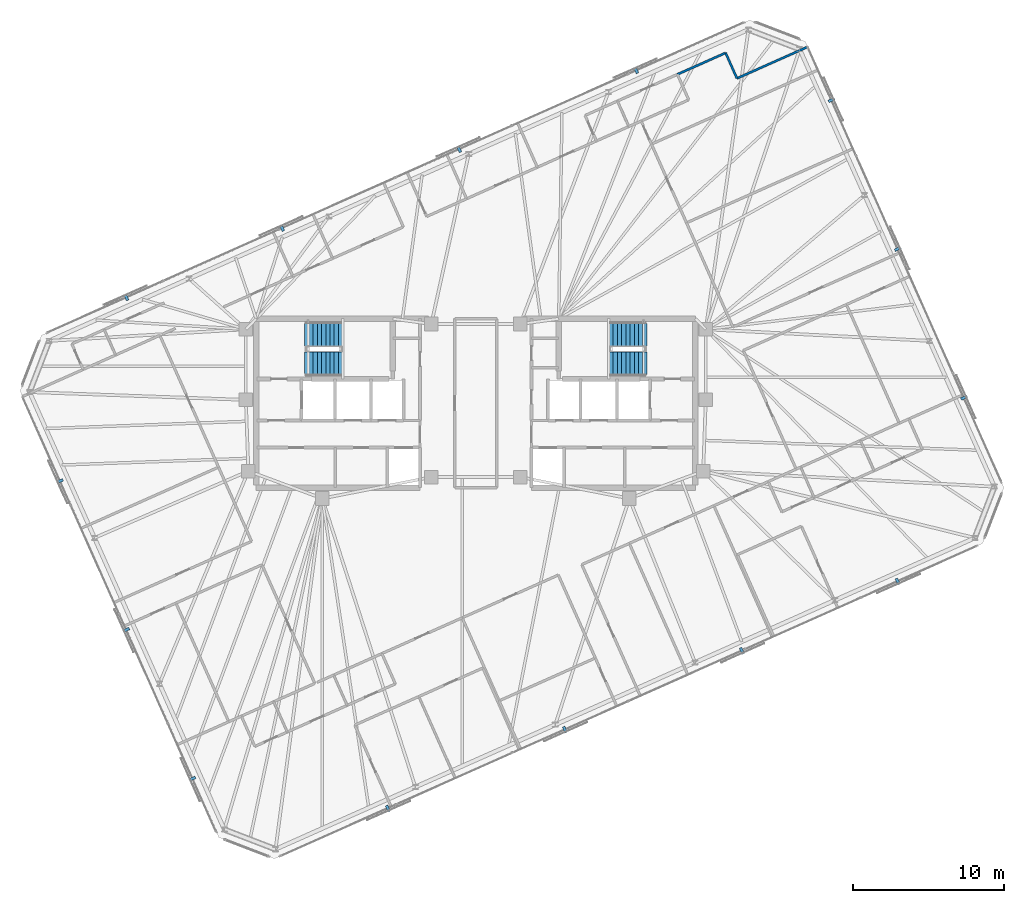
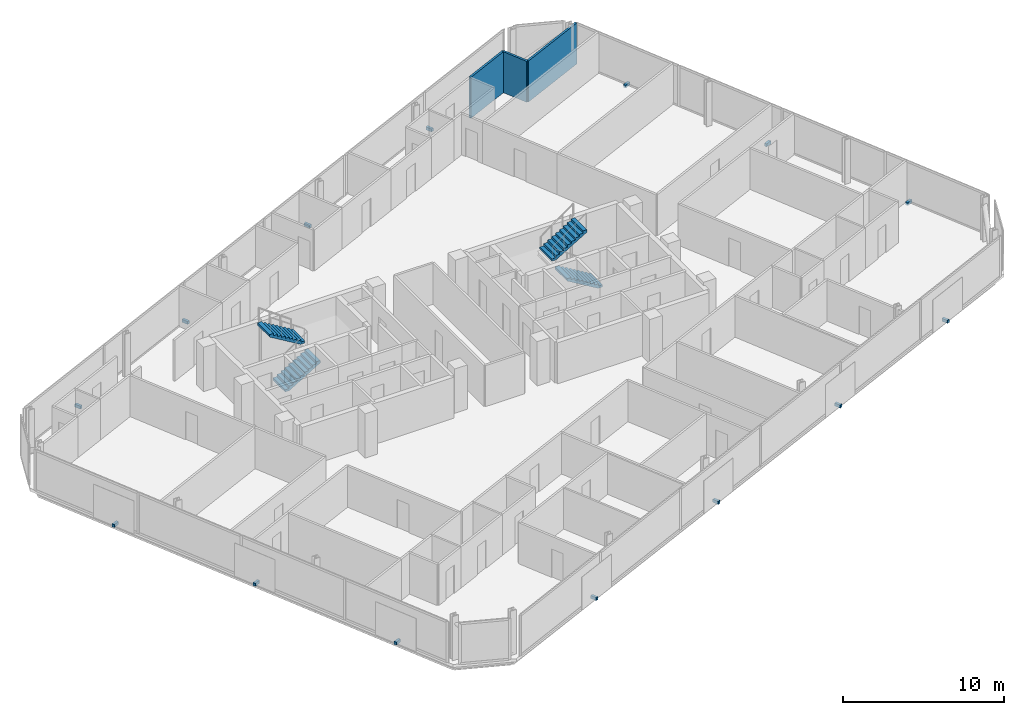
# One storey, part 17 of 18: 14 discrete accessories, 4 stair flights, 3 walls, 2 elements without a shape of their own.
"""IFC4 building model written with IfcOpenShell, lengths in metres."""

from ifc_helpers import new_model, si_unit, direction, frame, frame_2d, origin, origin_2d, place, context, subcontext, project, spatial, polyline, rectangle, outline, extrude, material, layer, layer_set, type_object, element, aggregate, save


model = new_model("IFC4")

# Units and contexts
model_context = context("Model", 3, precision=1e-05, world=origin(), true_north=direction((0.0, 1.0)))
body_context = subcontext(model_context, "Body", "Model", "MODEL_VIEW")
ifc_project = project(units=[si_unit("LENGTHUNIT", "METRE"), si_unit("AREAUNIT", "SQUARE_METRE"), si_unit("VOLUMEUNIT", "CUBIC_METRE"), si_unit("PLANEANGLEUNIT", "RADIAN"), si_unit("MASSUNIT", "GRAM", prefix="KILO")], contexts=[model_context])

# Site, building, storey
site_placement = place(None, origin())
site = spatial("IfcSite", under=ifc_project, at=site_placement, CompositionType="ELEMENT")
building_placement = place(site_placement, origin())
building = spatial("IfcBuilding", under=site, at=building_placement, Name="Menara Jurai Vektor", CompositionType="ELEMENT")
storey_placement = place(building_placement, frame((0.0, 0.0, 272.25)))
storey = spatial("IfcBuildingStorey", under=building, at=storey_placement, Name="L73", CompositionType="ELEMENT", Elevation=272.25)

# Walls
ifc_material_1 = material(Name="Gypsum Fireboard Partition", Category="gypsum")
ifc_layer = layer(ifc_material_1, 0.14990234375)
ifc_layer_set = layer_set([ifc_layer], Name="Gypsum Fireboard Partition")
wall_type = type_object("IfcWallType", Name="INT-WALL-CORR-150", PredefinedType="PARTITIONING", material=ifc_layer_set)
wall_1_placement = place(storey_placement, frame((13.367919921875, 21.8056640625, 0.0), z_axis=(0.0, 0.0, 1.0), x_axis=(0.913538066796, 0.406753242783, 0.0)))
element("IfcWall", 1, at=wall_1_placement, inside=storey, type_object=wall_type, Name="Interior Wall IW-150 L73", PredefinedType="PARTITIONING", context=body_context, shape_type="SweptSolid", body=[
    extrude(rectangle(XDim=3.499755859375, YDim=0.14990234375, at=frame_2d((1.75, 0.0))), origin(), (0.0, 0.0, 1.0), 3.10009765625),
])
wall_2_placement = place(storey_placement, frame((17.317626953125, 21.539306640625, 0.0), z_axis=(0.0, 0.0, 1.0), x_axis=(-0.406750635596, 0.913539227643, 0.0)))
element("IfcWall", 2, at=wall_2_placement, inside=storey, type_object=wall_type, Name="Interior Wall IW-150 L73", PredefinedType="PARTITIONING", context=body_context, shape_type="SweptSolid", body=[
    extrude(rectangle(XDim=1.849853515625, YDim=0.14990234375, at=frame_2d((0.9248046875, 0.0))), origin(), (0.0, 0.0, 1.0), 3.10009765625),
])
wall_3_placement = place(storey_placement, frame((17.317626953125, 21.539306640625, 0.0), z_axis=(0.0, 0.0, 1.0), x_axis=(0.91356434511, 0.406694218479, 0.0)))
element("IfcWall", 3, at=wall_3_placement, inside=storey, type_object=wall_type, Name="Interior Wall IW-150 L73", PredefinedType="PARTITIONING", context=body_context, shape_type="SweptSolid", body=[
    extrude(rectangle(XDim=5.135009765625, YDim=0.14990234375, at=frame_2d((2.5673828125, 0.0))), origin(), (0.0, 0.0, 1.0), 3.10009765625),
])

# Stair, stair flights
ifc_material_2 = material(Name="Concrete C40/50", Category="concrete")
stair_type = type_object("IfcStairType", Name="STAIR-DOGLEG-1500", PredefinedType="HALF_TURN_STAIR", material=ifc_material_2)
stair_1_placement = place(storey_placement, origin())
stair_1 = element("IfcStair", 4, at=stair_1_placement, inside=storey, type_object=stair_type, Name="Protected Exit Stair ST1 L73", PredefinedType="HALF_TURN_STAIR")
stair_flight_type = type_object("IfcStairFlightType", Name="STAIR-FLIGHT-1500", PredefinedType="STRAIGHT", material=ifc_material_2)
stair_flight_1_placement = place(storey_placement, frame((-11.35009765625, 2.64990234375, 0.0), z_axis=(0.0, 0.0, 1.0), x_axis=(1.0, 0.0, 0.0)))
stair_flight_1 = element("IfcStairFlight", 5, at=stair_flight_1_placement, type_object=stair_flight_type, Name="ST1 flight 1", NumberOfRisers=10, NumberOfTreads=9, PredefinedType="STRAIGHT", RiserHeight=0.1675, TreadLength=0.28, context=body_context, shape_type="SweptSolid", body=[
    extrude(outline(polyline([(0.0, 0.0), (0.0, 0.16748046875), (0.280029296875, 0.16748046875), (0.280029296875, 0.3349609375), (0.56005859375, 0.3349609375), (0.56005859375, 0.50244140625), (0.840087890625, 0.50244140625), (0.840087890625, 0.669921875), (1.1201171875, 0.669921875), (1.1201171875, 0.83740234375), (1.39990234375, 0.83740234375), (1.39990234375, 1.0048828125), (1.679931640625, 1.0048828125), (1.679931640625, 1.172607421875), (1.9599609375, 1.172607421875), (1.9599609375, 1.340087890625), (2.239990234375, 1.340087890625), (2.239990234375, 1.507568359375), (2.52001953125, 1.507568359375), (2.52001953125, 1.675048828125), (2.52001953125, 1.321044921875), (0.3115234375, 0.0), (0.0, 0.0)])), frame((0.0, 0.75, 0.0), z_axis=(0.0, -1.0, 0.0), x_axis=(1.0, 0.0, 0.0)), (0.0, 0.0, 1.0), 1.5),
])
stair_flight_2_placement = place(storey_placement, frame((-8.830078125, 4.550048828125, 1.675048828125), z_axis=(0.0, 0.0, 1.0), x_axis=(-1.0, 0.0, 0.0)))
stair_flight_2 = element("IfcStairFlight", 6, at=stair_flight_2_placement, type_object=stair_flight_type, Name="ST1 flight 2", NumberOfRisers=10, NumberOfTreads=9, PredefinedType="STRAIGHT", RiserHeight=0.1675, TreadLength=0.28, context=body_context, shape_type="SweptSolid", body=[
    extrude(outline(polyline([(0.0, 0.0), (0.0, 0.16748046875), (0.280029296875, 0.16748046875), (0.280029296875, 0.3349609375), (0.56005859375, 0.3349609375), (0.56005859375, 0.50244140625), (0.840087890625, 0.50244140625), (0.840087890625, 0.669921875), (1.1201171875, 0.669921875), (1.1201171875, 0.83740234375), (1.39990234375, 0.83740234375), (1.39990234375, 1.0048828125), (1.679931640625, 1.0048828125), (1.679931640625, 1.172607421875), (1.9599609375, 1.172607421875), (1.9599609375, 1.340087890625), (2.239990234375, 1.340087890625), (2.239990234375, 1.507568359375), (2.52001953125, 1.507568359375), (2.52001953125, 1.675048828125), (2.52001953125, 1.321044921875), (0.3115234375, 0.0), (0.0, 0.0)])), frame((0.0, 0.75, 0.0), z_axis=(0.0, -1.0, 0.0), x_axis=(1.0, 0.0, 0.0)), (0.0, 0.0, 1.0), 1.5),
])
aggregate(stair_1, [stair_flight_1, stair_flight_2])

stair_2_placement = place(storey_placement, origin())
stair_2 = element("IfcStair", 7, at=stair_2_placement, inside=storey, type_object=stair_type, Name="Protected Exit Stair ST2 L73", PredefinedType="HALF_TURN_STAIR")
stair_flight_3_placement = place(storey_placement, frame((11.35009765625, 2.64990234375, 0.0), z_axis=(0.0, 0.0, 1.0), x_axis=(-1.0, 0.0, 0.0)))
stair_flight_3 = element("IfcStairFlight", 8, at=stair_flight_3_placement, type_object=stair_flight_type, Name="ST2 flight 1", NumberOfRisers=10, NumberOfTreads=9, PredefinedType="STRAIGHT", RiserHeight=0.1675, TreadLength=0.28, context=body_context, shape_type="SweptSolid", body=[
    extrude(outline(polyline([(0.0, 0.0), (0.0, 0.16748046875), (0.280029296875, 0.16748046875), (0.280029296875, 0.3349609375), (0.56005859375, 0.3349609375), (0.56005859375, 0.50244140625), (0.840087890625, 0.50244140625), (0.840087890625, 0.669921875), (1.1201171875, 0.669921875), (1.1201171875, 0.83740234375), (1.39990234375, 0.83740234375), (1.39990234375, 1.0048828125), (1.679931640625, 1.0048828125), (1.679931640625, 1.172607421875), (1.9599609375, 1.172607421875), (1.9599609375, 1.340087890625), (2.239990234375, 1.340087890625), (2.239990234375, 1.507568359375), (2.52001953125, 1.507568359375), (2.52001953125, 1.675048828125), (2.52001953125, 1.321044921875), (0.3115234375, 0.0), (0.0, 0.0)])), frame((0.0, 0.75, 0.0), z_axis=(0.0, -1.0, 0.0), x_axis=(1.0, 0.0, 0.0)), (0.0, 0.0, 1.0), 1.5),
])
stair_flight_4_placement = place(storey_placement, frame((8.830078125, 4.550048828125, 1.675048828125), z_axis=(0.0, 0.0, 1.0), x_axis=(1.0, 0.0, 0.0)))
stair_flight_4 = element("IfcStairFlight", 9, at=stair_flight_4_placement, type_object=stair_flight_type, Name="ST2 flight 2", NumberOfRisers=10, NumberOfTreads=9, PredefinedType="STRAIGHT", RiserHeight=0.1675, TreadLength=0.28, context=body_context, shape_type="SweptSolid", body=[
    extrude(outline(polyline([(0.0, 0.0), (0.0, 0.16748046875), (0.280029296875, 0.16748046875), (0.280029296875, 0.3349609375), (0.56005859375, 0.3349609375), (0.56005859375, 0.50244140625), (0.840087890625, 0.50244140625), (0.840087890625, 0.669921875), (1.1201171875, 0.669921875), (1.1201171875, 0.83740234375), (1.39990234375, 0.83740234375), (1.39990234375, 1.0048828125), (1.679931640625, 1.0048828125), (1.679931640625, 1.172607421875), (1.9599609375, 1.172607421875), (1.9599609375, 1.340087890625), (2.239990234375, 1.340087890625), (2.239990234375, 1.507568359375), (2.52001953125, 1.507568359375), (2.52001953125, 1.675048828125), (2.52001953125, 1.321044921875), (0.3115234375, 0.0), (0.0, 0.0)])), frame((0.0, 0.75, 0.0), z_axis=(0.0, -1.0, 0.0), x_axis=(1.0, 0.0, 0.0)), (0.0, 0.0, 1.0), 1.5),
])
aggregate(stair_2, [stair_flight_3, stair_flight_4])

# Discrete accessories
ifc_material_3 = material(Name="Steel S355", Category="steel")
discrete_accessory_type = type_object("IfcDiscreteAccessoryType", Name="ENV-ACC-BRACKET", PredefinedType="BRACKET", material=ifc_material_3)
for number, where, z_axis, x_axis, name in (
    (10, (-5.8330078125, -26.87451171875, -0.1298828125), (0.0, 0.0, 1.0), (0.913545457643, 0.406736643076, 0.0), "Solar Screen Stand-Off Bracket L73-S01"),
    (11, (5.906005859375, -21.648193359375, -0.1298828125), (0.0, 0.0, 1.0), (0.913545457643, 0.406736643076, 0.0), "Solar Screen Stand-Off Bracket L73-S02"),
    (12, (17.64501953125, -16.42138671875, -0.1298828125), (0.0, 0.0, 1.0), (0.913545457643, 0.406736643076, 0.0), "Solar Screen Stand-Off Bracket L73-S03"),
    (13, (27.975341796875, -11.822021484375, -0.1298828125), (0.0, 0.0, 1.0), (0.913545457643, 0.406736643076, 0.0), "Solar Screen Stand-Off Bracket L73-S04"),
    (14, (32.376708984375, 0.36572265625, -0.1298828125), (0.0, 0.0, 1.0), (-0.406736643076, 0.913545457643, 0.0), "Solar Screen Stand-Off Bracket L73-S05"),
    (15, (27.98388671875, 10.23193359375, -0.1298828125), (0.0, 0.0, 1.0), (-0.406736643076, 0.913545457643, 0.0), "Solar Screen Stand-Off Bracket L73-S06"),
    (16, (23.59130859375, 20.098388671875, -0.1298828125), (0.0, 0.0, 1.0), (-0.406736643076, 0.913545457643, 0.0), "Solar Screen Stand-Off Bracket L73-S07"),
    (17, (10.633056640625, 22.07470703125, -0.1298828125), (0.0, 0.0, 1.0), (-0.913545457643, -0.406736643076, 0.0), "Solar Screen Stand-Off Bracket L73-S08"),
    (18, (-1.10595703125, 16.84814453125, -0.1298828125), (0.0, 0.0, 1.0), (-0.913545457643, -0.406736643076, 0.0), "Solar Screen Stand-Off Bracket L73-S09"),
    (19, (-12.84521484375, 11.62158203125, -0.1298828125), (0.0, 0.0, 1.0), (-0.913545457643, -0.406736643076, 0.0), "Solar Screen Stand-Off Bracket L73-S10"),
    (20, (-23.17529296875, 7.022216796875, -0.1298828125), (0.0, 0.0, 1.0), (-0.913545457643, -0.406736643076, 0.0), "Solar Screen Stand-Off Bracket L73-S11"),
    (21, (-27.57666015625, -5.165771484375, -0.1298828125), (0.0, 0.0, 1.0), (0.406736643076, -0.913545457643, 0.0), "Solar Screen Stand-Off Bracket L73-S12"),
    (22, (-23.183837890625, -15.031982421875, -0.1298828125), (0.0, 0.0, 1.0), (0.406736643076, -0.913545457643, 0.0), "Solar Screen Stand-Off Bracket L73-S13"),
    (23, (-18.791259765625, -24.898193359375, -0.1298828125), (0.0, 0.0, 1.0), (0.406736643076, -0.913545457643, 0.0), "Solar Screen Stand-Off Bracket L73-S14"),
):
    element("IfcDiscreteAccessory", number, at=place(storey_placement, frame(where, z_axis=z_axis, x_axis=x_axis)), inside=storey, type_object=discrete_accessory_type, Name=name, PredefinedType="BRACKET", context=body_context, shape_type="SweptSolid", body=[
        extrude(rectangle(XDim=0.179931640625, YDim=0.43994140625, at=origin_2d()), origin(), (0.0, 0.0, 1.0), 0.219970703125),
    ])

save(model, "model.ifc")
